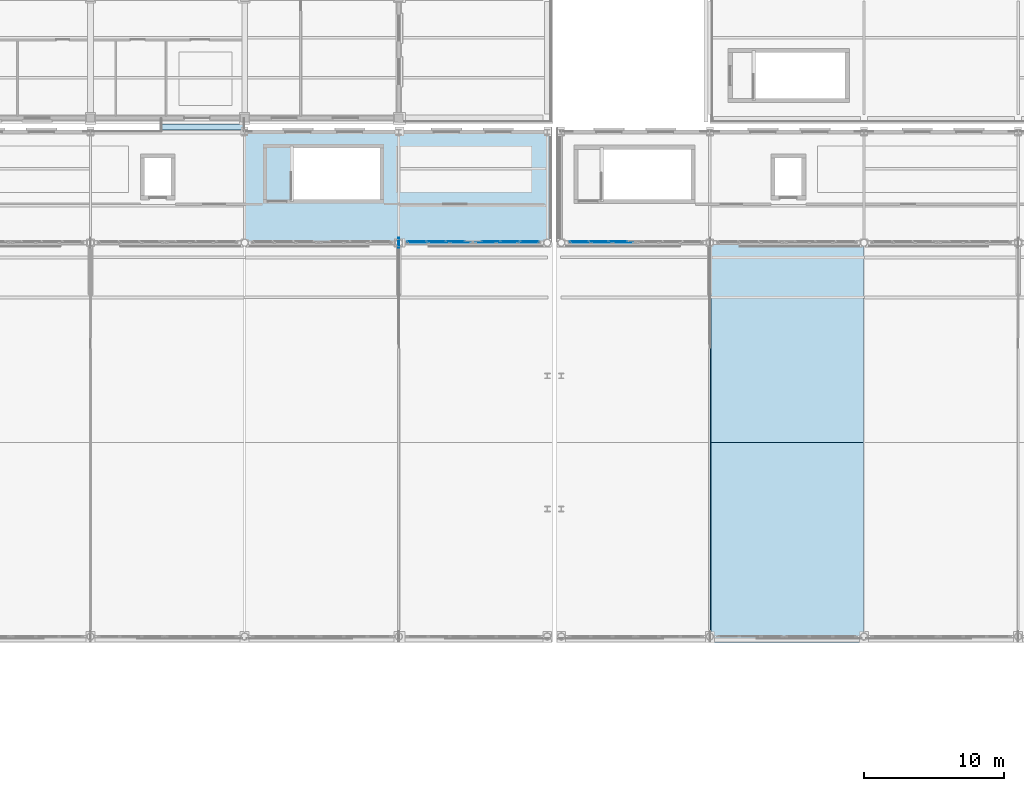
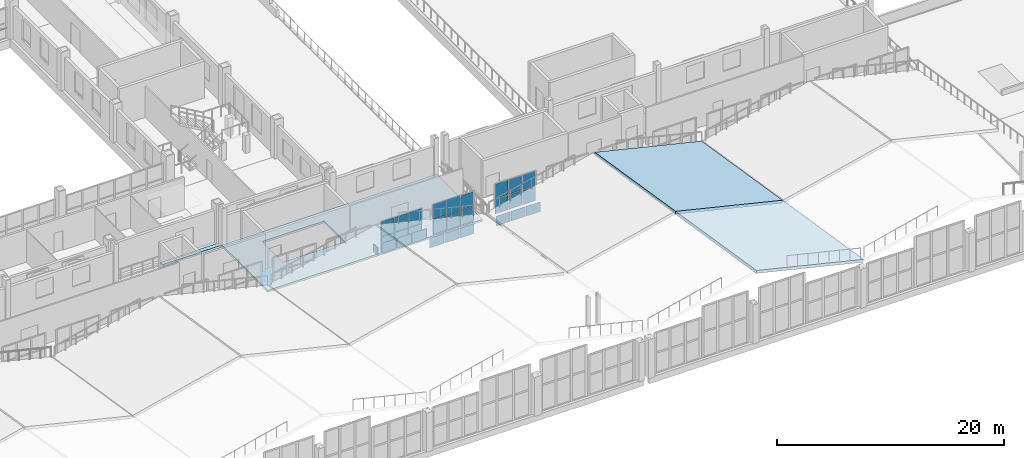
# One storey, part 83 of 120: 28 plates, 4 slabs, 6 elements without a shape of their own.
"""IFC4 building model written with IfcOpenShell, lengths in metres."""

from ifc_helpers import new_model, si_unit, direction, frame, origin, origin_2d, place, context, subcontext, project, spatial, polyline, rectangle, outline, extrude, material, layer, layer_set, type_object, element, aggregate, save


model = new_model("IFC4")

# Units and contexts
model_context = context("Model", 3, precision=1e-05, world=origin(), true_north=direction((0.0, 1.0)))
body_context = subcontext(model_context, "Body", "Model", "MODEL_VIEW")
ifc_project = project(units=[si_unit("LENGTHUNIT", "METRE"), si_unit("AREAUNIT", "SQUARE_METRE"), si_unit("VOLUMEUNIT", "CUBIC_METRE"), si_unit("PLANEANGLEUNIT", "RADIAN"), si_unit("MASSUNIT", "GRAM", prefix="KILO")], contexts=[model_context])

# Site, building, storey
site_placement = place(None, origin())
site = spatial("IfcSite", under=ifc_project, at=site_placement, CompositionType="ELEMENT")
building_placement = place(site_placement, origin())
building = spatial("IfcBuilding", under=site, at=building_placement, Name="Caurita Quay Ferry Terminal", CompositionType="ELEMENT")
storey_placement = place(building_placement, frame((0.0, 0.0, 9.89990234375)))
storey = spatial("IfcBuildingStorey", under=building, at=storey_placement, Name="L02", CompositionType="ELEMENT", Elevation=9.89990234375)

# Curtain wall, plates
ifc_material_1 = material(Name="Laminated solar-control insulated glass", Category="glass")
curtain_wall_type_1 = type_object("IfcCurtainWallType", Name="CW-SYS-14", PredefinedType="NOTDEFINED", material=ifc_material_1)
curtain_wall_1_placement = place(storey_placement, origin())
curtain_wall_1 = element("IfcCurtainWall", 1, at=curtain_wall_1_placement, inside=storey, type_object=curtain_wall_type_1, Name="Mezzanine Hall Overlook Glazing 103", PredefinedType="NOTDEFINED")
ifc_layer_1 = layer(ifc_material_1, 0.02392578125, Name="Laminated low-e hurricane-rated glazing unit 24 mm")
ifc_layer_set_1 = layer_set([ifc_layer_1], Name="Laminated solar-control insulated glass")
plate_type_1 = type_object("IfcPlateType", Name="CW-PNL-24", PredefinedType="CURTAIN_PANEL", material=ifc_layer_set_1)
plate_1_placement = place(storey_placement, frame((78.264892578125, 62.800048828125, 0.05810546875), z_axis=(0.0, 0.0, 1.0), x_axis=(1.0, 0.0, 0.0)))
plate_1 = element("IfcPlate", 2, at=plate_1_placement, type_object=plate_type_1, Name="CW-MZL-103 Glazing Panel 1", PredefinedType="CURTAIN_PANEL", context=body_context, shape_type="SweptSolid", body=[
    extrude(rectangle(XDim=1.31396484375, YDim=0.02392578125, at=origin_2d()), origin(), (0.0, 0.0, 1.0), 1.56396484375),
])
plate_2_placement = place(storey_placement, frame((78.264892578125, 62.800048828125, 1.67822265625), z_axis=(0.0, 0.0, 1.0), x_axis=(1.0, 0.0, 0.0)))
plate_2 = element("IfcPlate", 3, at=plate_2_placement, type_object=plate_type_1, Name="CW-MZL-103 Glazing Panel 2", PredefinedType="CURTAIN_PANEL", context=body_context, shape_type="SweptSolid", body=[
    extrude(rectangle(XDim=1.31396484375, YDim=0.02392578125, at=origin_2d()), origin(), (0.0, 0.0, 1.0), 1.56396484375),
])
plate_3_placement = place(storey_placement, frame((79.64990234375, 62.800048828125, 0.05810546875), z_axis=(0.0, 0.0, 1.0), x_axis=(1.0, 0.0, 0.0)))
plate_3 = element("IfcPlate", 4, at=plate_3_placement, type_object=plate_type_1, Name="CW-MZL-103 Glazing Panel 3", PredefinedType="CURTAIN_PANEL", context=body_context, shape_type="SweptSolid", body=[
    extrude(rectangle(XDim=1.343994140625, YDim=0.02392578125, at=origin_2d()), origin(), (0.0, 0.0, 1.0), 1.56396484375),
])
plate_4_placement = place(storey_placement, frame((79.64990234375, 62.800048828125, 1.67822265625), z_axis=(0.0, 0.0, 1.0), x_axis=(1.0, 0.0, 0.0)))
plate_4 = element("IfcPlate", 5, at=plate_4_placement, type_object=plate_type_1, Name="CW-MZL-103 Glazing Panel 4", PredefinedType="CURTAIN_PANEL", context=body_context, shape_type="SweptSolid", body=[
    extrude(rectangle(XDim=1.343994140625, YDim=0.02392578125, at=origin_2d()), origin(), (0.0, 0.0, 1.0), 1.56396484375),
])
plate_5_placement = place(storey_placement, frame((81.034912109375, 62.800048828125, 0.05810546875), z_axis=(0.0, 0.0, 1.0), x_axis=(1.0, 0.0, 0.0)))
plate_5 = element("IfcPlate", 6, at=plate_5_placement, type_object=plate_type_1, Name="CW-MZL-103 Glazing Panel 5", PredefinedType="CURTAIN_PANEL", context=body_context, shape_type="SweptSolid", body=[
    extrude(rectangle(XDim=1.31396484375, YDim=0.02392578125, at=origin_2d()), origin(), (0.0, 0.0, 1.0), 1.56396484375),
])
plate_6_placement = place(storey_placement, frame((81.034912109375, 62.800048828125, 1.67822265625), z_axis=(0.0, 0.0, 1.0), x_axis=(1.0, 0.0, 0.0)))
plate_6 = element("IfcPlate", 7, at=plate_6_placement, type_object=plate_type_1, Name="CW-MZL-103 Glazing Panel 6", PredefinedType="CURTAIN_PANEL", context=body_context, shape_type="SweptSolid", body=[
    extrude(rectangle(XDim=1.31396484375, YDim=0.02392578125, at=origin_2d()), origin(), (0.0, 0.0, 1.0), 1.56396484375),
])
aggregate(curtain_wall_1, [plate_1, plate_2, plate_3, plate_4, plate_5, plate_6])

curtain_wall_2_placement = place(storey_placement, origin())
curtain_wall_2 = element("IfcCurtainWall", 8, at=curtain_wall_2_placement, inside=storey, type_object=curtain_wall_type_1, Name="Mezzanine Hall Overlook Glazing 104", PredefinedType="NOTDEFINED")
plate_7_placement = place(storey_placement, frame((83.56494140625, 62.800048828125, 0.05810546875), z_axis=(0.0, 0.0, 1.0), x_axis=(1.0, 0.0, 0.0)))
plate_7 = element("IfcPlate", 9, at=plate_7_placement, type_object=plate_type_1, Name="CW-MZL-104 Glazing Panel 1", PredefinedType="CURTAIN_PANEL", context=body_context, shape_type="SweptSolid", body=[
    extrude(rectangle(XDim=1.31396484375, YDim=0.02392578125, at=origin_2d()), origin(), (0.0, 0.0, 1.0), 1.56396484375),
])
plate_8_placement = place(storey_placement, frame((83.56494140625, 62.800048828125, 1.67822265625), z_axis=(0.0, 0.0, 1.0), x_axis=(1.0, 0.0, 0.0)))
plate_8 = element("IfcPlate", 10, at=plate_8_placement, type_object=plate_type_1, Name="CW-MZL-104 Glazing Panel 2", PredefinedType="CURTAIN_PANEL", context=body_context, shape_type="SweptSolid", body=[
    extrude(rectangle(XDim=1.31396484375, YDim=0.02392578125, at=origin_2d()), origin(), (0.0, 0.0, 1.0), 1.56396484375),
])
plate_9_placement = place(storey_placement, frame((84.949951171875, 62.800048828125, 0.05810546875), z_axis=(0.0, 0.0, 1.0), x_axis=(1.0, 0.0, 0.0)))
plate_9 = element("IfcPlate", 11, at=plate_9_placement, type_object=plate_type_1, Name="CW-MZL-104 Glazing Panel 3", PredefinedType="CURTAIN_PANEL", context=body_context, shape_type="SweptSolid", body=[
    extrude(rectangle(XDim=1.343994140625, YDim=0.02392578125, at=origin_2d()), origin(), (0.0, 0.0, 1.0), 1.56396484375),
])
plate_10_placement = place(storey_placement, frame((84.949951171875, 62.800048828125, 1.67822265625), z_axis=(0.0, 0.0, 1.0), x_axis=(1.0, 0.0, 0.0)))
plate_10 = element("IfcPlate", 12, at=plate_10_placement, type_object=plate_type_1, Name="CW-MZL-104 Glazing Panel 4", PredefinedType="CURTAIN_PANEL", context=body_context, shape_type="SweptSolid", body=[
    extrude(rectangle(XDim=1.343994140625, YDim=0.02392578125, at=origin_2d()), origin(), (0.0, 0.0, 1.0), 1.56396484375),
])
plate_11_placement = place(storey_placement, frame((86.3349609375, 62.800048828125, 0.05810546875), z_axis=(0.0, 0.0, 1.0), x_axis=(1.0, 0.0, 0.0)))
plate_11 = element("IfcPlate", 13, at=plate_11_placement, type_object=plate_type_1, Name="CW-MZL-104 Glazing Panel 5", PredefinedType="CURTAIN_PANEL", context=body_context, shape_type="SweptSolid", body=[
    extrude(rectangle(XDim=1.31396484375, YDim=0.02392578125, at=origin_2d()), origin(), (0.0, 0.0, 1.0), 1.56396484375),
])
plate_12_placement = place(storey_placement, frame((86.3349609375, 62.800048828125, 1.67822265625), z_axis=(0.0, 0.0, 1.0), x_axis=(1.0, 0.0, 0.0)))
plate_12 = element("IfcPlate", 14, at=plate_12_placement, type_object=plate_type_1, Name="CW-MZL-104 Glazing Panel 6", PredefinedType="CURTAIN_PANEL", context=body_context, shape_type="SweptSolid", body=[
    extrude(rectangle(XDim=1.31396484375, YDim=0.02392578125, at=origin_2d()), origin(), (0.0, 0.0, 1.0), 1.56396484375),
])
aggregate(curtain_wall_2, [plate_7, plate_8, plate_9, plate_10, plate_11, plate_12])

curtain_wall_3_placement = place(storey_placement, origin())
curtain_wall_3 = element("IfcCurtainWall", 15, at=curtain_wall_3_placement, inside=storey, type_object=curtain_wall_type_1, Name="Mezzanine Hall Overlook Glazing 105", PredefinedType="NOTDEFINED")
plate_13_placement = place(storey_placement, frame((89.864990234375, 62.800048828125, 0.05810546875), z_axis=(0.0, 0.0, 1.0), x_axis=(1.0, 0.0, 0.0)))
plate_13 = element("IfcPlate", 16, at=plate_13_placement, type_object=plate_type_1, Name="CW-MZL-105 Glazing Panel 1", PredefinedType="CURTAIN_PANEL", context=body_context, shape_type="SweptSolid", body=[
    extrude(rectangle(XDim=1.31396484375, YDim=0.02392578125, at=origin_2d()), origin(), (0.0, 0.0, 1.0), 1.56396484375),
])
plate_14_placement = place(storey_placement, frame((89.864990234375, 62.800048828125, 1.67822265625), z_axis=(0.0, 0.0, 1.0), x_axis=(1.0, 0.0, 0.0)))
plate_14 = element("IfcPlate", 17, at=plate_14_placement, type_object=plate_type_1, Name="CW-MZL-105 Glazing Panel 2", PredefinedType="CURTAIN_PANEL", context=body_context, shape_type="SweptSolid", body=[
    extrude(rectangle(XDim=1.31396484375, YDim=0.02392578125, at=origin_2d()), origin(), (0.0, 0.0, 1.0), 1.56396484375),
])
plate_15_placement = place(storey_placement, frame((91.25, 62.800048828125, 0.05810546875), z_axis=(0.0, 0.0, 1.0), x_axis=(1.0, 0.0, 0.0)))
plate_15 = element("IfcPlate", 18, at=plate_15_placement, type_object=plate_type_1, Name="CW-MZL-105 Glazing Panel 3", PredefinedType="CURTAIN_PANEL", context=body_context, shape_type="SweptSolid", body=[
    extrude(rectangle(XDim=1.343994140625, YDim=0.02392578125, at=origin_2d()), origin(), (0.0, 0.0, 1.0), 1.56396484375),
])
plate_16_placement = place(storey_placement, frame((91.25, 62.800048828125, 1.67822265625), z_axis=(0.0, 0.0, 1.0), x_axis=(1.0, 0.0, 0.0)))
plate_16 = element("IfcPlate", 19, at=plate_16_placement, type_object=plate_type_1, Name="CW-MZL-105 Glazing Panel 4", PredefinedType="CURTAIN_PANEL", context=body_context, shape_type="SweptSolid", body=[
    extrude(rectangle(XDim=1.343994140625, YDim=0.02392578125, at=origin_2d()), origin(), (0.0, 0.0, 1.0), 1.56396484375),
])
plate_17_placement = place(storey_placement, frame((92.635009765625, 62.800048828125, 0.05810546875), z_axis=(0.0, 0.0, 1.0), x_axis=(1.0, 0.0, 0.0)))
plate_17 = element("IfcPlate", 20, at=plate_17_placement, type_object=plate_type_1, Name="CW-MZL-105 Glazing Panel 5", PredefinedType="CURTAIN_PANEL", context=body_context, shape_type="SweptSolid", body=[
    extrude(rectangle(XDim=1.31396484375, YDim=0.02392578125, at=origin_2d()), origin(), (0.0, 0.0, 1.0), 1.56396484375),
])
plate_18_placement = place(storey_placement, frame((92.635009765625, 62.800048828125, 1.67822265625), z_axis=(0.0, 0.0, 1.0), x_axis=(1.0, 0.0, 0.0)))
plate_18 = element("IfcPlate", 21, at=plate_18_placement, type_object=plate_type_1, Name="CW-MZL-105 Glazing Panel 6", PredefinedType="CURTAIN_PANEL", context=body_context, shape_type="SweptSolid", body=[
    extrude(rectangle(XDim=1.31396484375, YDim=0.02392578125, at=origin_2d()), origin(), (0.0, 0.0, 1.0), 1.56396484375),
])
aggregate(curtain_wall_3, [plate_13, plate_14, plate_15, plate_16, plate_17, plate_18])

curtain_wall_type_2 = type_object("IfcCurtainWallType", Name="CW-SYS-05", PredefinedType="NOTDEFINED", material=ifc_material_1)
curtain_wall_4_placement = place(storey_placement, origin())
curtain_wall_4 = element("IfcCurtainWall", 22, at=curtain_wall_4_placement, inside=storey, type_object=curtain_wall_type_2, Name="Folded Roof Clerestory FB-04-N3", PredefinedType="NOTDEFINED")
ifc_layer_2 = layer(ifc_material_1, 0.028076171875, Name="Laminated low-e hurricane-rated glazing unit 28 mm")
ifc_layer_set_2 = layer_set([ifc_layer_2], Name="Laminated solar-control insulated glass")
plate_type_2 = type_object("IfcPlateType", Name="CW-PNL-28", PredefinedType="CURTAIN_PANEL", material=ifc_layer_set_2)
plate_19_placement = place(storey_placement, frame((78.34375, 62.699951171875, -0.0498046875), z_axis=(0.0, 0.0, 1.0), x_axis=(1.0, 0.0, 0.0)))
plate_19 = element("IfcPlate", 23, at=plate_19_placement, type_object=plate_type_2, Name="CW-CLR-031 Glazing Panel 1", PredefinedType="CURTAIN_PANEL", context=body_context, shape_type="SweptSolid", body=[
    extrude(rectangle(XDim=1.44140625, YDim=0.028076171875, at=origin_2d()), origin(), (0.0, 0.0, 1.0), 1.053955078125),
])
plate_20_placement = place(storey_placement, frame((79.875, 62.699951171875, -0.0498046875), z_axis=(0.0, 0.0, 1.0), x_axis=(1.0, 0.0, 0.0)))
plate_20 = element("IfcPlate", 24, at=plate_20_placement, type_object=plate_type_2, Name="CW-CLR-031 Glazing Panel 2", PredefinedType="CURTAIN_PANEL", context=body_context, shape_type="SweptSolid", body=[
    extrude(rectangle(XDim=1.47900390625, YDim=0.028076171875, at=origin_2d()), origin(), (0.0, 0.0, 1.0), 1.053955078125),
])
plate_21_placement = place(storey_placement, frame((81.40625, 62.699951171875, -0.0498046875), z_axis=(0.0, 0.0, 1.0), x_axis=(1.0, 0.0, 0.0)))
plate_21 = element("IfcPlate", 25, at=plate_21_placement, type_object=plate_type_2, Name="CW-CLR-031 Glazing Panel 3", PredefinedType="CURTAIN_PANEL", context=body_context, shape_type="SweptSolid", body=[
    extrude(rectangle(XDim=1.44140625, YDim=0.028076171875, at=origin_2d()), origin(), (0.0, 0.0, 1.0), 1.053955078125),
])
aggregate(curtain_wall_4, [plate_19, plate_20, plate_21])

curtain_wall_5_placement = place(storey_placement, origin())
curtain_wall_5 = element("IfcCurtainWall", 26, at=curtain_wall_5_placement, inside=storey, type_object=curtain_wall_type_2, Name="Folded Roof Clerestory FB-04-N4", PredefinedType="NOTDEFINED")
plate_22_placement = place(storey_placement, frame((83.19384765625, 62.699951171875, -1.2138671875), z_axis=(0.0, 0.0, 1.0), x_axis=(1.0, 0.0, 0.0)))
plate_22 = element("IfcPlate", 27, at=plate_22_placement, type_object=plate_type_2, Name="CW-CLR-032 Glazing Panel 1", PredefinedType="CURTAIN_PANEL", context=body_context, shape_type="SweptSolid", body=[
    extrude(rectangle(XDim=1.44140625, YDim=0.028076171875, at=origin_2d()), origin(), (0.0, 0.0, 1.0), 1.053955078125),
])
plate_23_placement = place(storey_placement, frame((84.72509765625, 62.699951171875, -1.2138671875), z_axis=(0.0, 0.0, 1.0), x_axis=(1.0, 0.0, 0.0)))
plate_23 = element("IfcPlate", 28, at=plate_23_placement, type_object=plate_type_2, Name="CW-CLR-032 Glazing Panel 2", PredefinedType="CURTAIN_PANEL", context=body_context, shape_type="SweptSolid", body=[
    extrude(rectangle(XDim=1.47900390625, YDim=0.028076171875, at=origin_2d()), origin(), (0.0, 0.0, 1.0), 1.053955078125),
])
plate_24_placement = place(storey_placement, frame((86.256103515625, 62.699951171875, -1.2138671875), z_axis=(0.0, 0.0, 1.0), x_axis=(1.0, 0.0, 0.0)))
plate_24 = element("IfcPlate", 29, at=plate_24_placement, type_object=plate_type_2, Name="CW-CLR-032 Glazing Panel 3", PredefinedType="CURTAIN_PANEL", context=body_context, shape_type="SweptSolid", body=[
    extrude(rectangle(XDim=1.44140625, YDim=0.028076171875, at=origin_2d()), origin(), (0.0, 0.0, 1.0), 1.053955078125),
])
aggregate(curtain_wall_5, [plate_22, plate_23, plate_24])

curtain_wall_6_placement = place(storey_placement, origin())
curtain_wall_6 = element("IfcCurtainWall", 30, at=curtain_wall_6_placement, inside=storey, type_object=curtain_wall_type_2, Name="Folded Roof Clerestory FB-05-N1", PredefinedType="NOTDEFINED")
plate_25_placement = place(storey_placement, frame((89.94384765625, 62.699951171875, -1.2138671875), z_axis=(0.0, 0.0, 1.0), x_axis=(1.0, 0.0, 0.0)))
plate_25 = element("IfcPlate", 31, at=plate_25_placement, type_object=plate_type_2, Name="CW-CLR-037 Glazing Panel 1", PredefinedType="CURTAIN_PANEL", context=body_context, shape_type="SweptSolid", body=[
    extrude(rectangle(XDim=1.44140625, YDim=0.028076171875, at=origin_2d()), origin(), (0.0, 0.0, 1.0), 1.053955078125),
])
plate_26_placement = place(storey_placement, frame((91.47509765625, 62.699951171875, -1.2138671875), z_axis=(0.0, 0.0, 1.0), x_axis=(1.0, 0.0, 0.0)))
plate_26 = element("IfcPlate", 32, at=plate_26_placement, type_object=plate_type_2, Name="CW-CLR-037 Glazing Panel 2", PredefinedType="CURTAIN_PANEL", context=body_context, shape_type="SweptSolid", body=[
    extrude(rectangle(XDim=1.47900390625, YDim=0.028076171875, at=origin_2d()), origin(), (0.0, 0.0, 1.0), 1.053955078125),
])
plate_27_placement = place(storey_placement, frame((93.006103515625, 62.699951171875, -1.2138671875), z_axis=(0.0, 0.0, 1.0), x_axis=(1.0, 0.0, 0.0)))
plate_27 = element("IfcPlate", 33, at=plate_27_placement, type_object=plate_type_2, Name="CW-CLR-037 Glazing Panel 3", PredefinedType="CURTAIN_PANEL", context=body_context, shape_type="SweptSolid", body=[
    extrude(rectangle(XDim=1.44140625, YDim=0.028076171875, at=origin_2d()), origin(), (0.0, 0.0, 1.0), 1.053955078125),
])
aggregate(curtain_wall_6, [plate_25, plate_26, plate_27])

# Plate
ifc_material_2 = material(Name="Structural plate steel ASTM A572 Gr. 50", Category="steel")
ifc_layer_3 = layer(ifc_material_2, 0.048095703125, Name="Structural steel connection plate 48 mm")
ifc_layer_set_3 = layer_set([ifc_layer_3], Name="Structural plate steel ASTM A572 Gr. 50")
plate_type_3 = type_object("IfcPlateType", Name="PLT-STL-48", PredefinedType="USERDEFINED", material=ifc_layer_set_3)
plate_28_placement = place(storey_placement, frame((77.0, 62.699951171875, 0.175048828125), z_axis=(0.0, 0.0, 1.0), x_axis=(1.0, 0.0, 0.0)))
element("IfcPlate", 34, at=plate_28_placement, inside=storey, type_object=plate_type_3, Name="Mast Collar Stay-Cable Gusset Plate V1-08-N", ObjectType="GUSSET PLATE", PredefinedType="USERDEFINED", context=body_context, shape_type="SweptSolid", body=[
    extrude(rectangle(XDim=0.048095703125, YDim=0.719970703125, at=origin_2d()), origin(), (0.0, 0.0, 1.0), 0.75),
])

# Slabs
ifc_material_3 = material(Name="Reinforced concrete C35/45", Category="concrete")
ifc_layer_4 = layer(ifc_material_3, 0.219970703125, Name="Reinforced concrete floor slab 220 mm")
ifc_layer_set_4 = layer_set([ifc_layer_4], Name="Reinforced concrete C35/45")
slab_type_1 = type_object("IfcSlabType", Name="SLB-FLR-220", PredefinedType="FLOOR", material=ifc_layer_set_4)
slab_1_placement = place(storey_placement, frame((0.0, 0.0, -0.219970703125)))
element("IfcSlab", 35, at=slab_1_placement, inside=storey, type_object=slab_type_1, Name="L02 SJ4-E Slab 01", PredefinedType="FLOOR", context=body_context, shape_type="SweptSolid", body=[
    extrude(outline(polyline([(60.0, 70.760009765625), (66.0, 70.760009765625), (66.0, 71.18994140625), (60.0, 71.18994140625), (60.0, 70.760009765625)])), origin(), (0.0, 0.0, 1.0), 0.219970703125),
])
slab_2_placement = place(storey_placement, frame((0.0, 0.0, -0.219970703125)))
element("IfcSlab", 36, at=slab_2_placement, inside=storey, type_object=slab_type_1, Name="L02 V1-MEZ Slab 04", PredefinedType="FLOOR", context=body_context, shape_type="SweptSolid", body=[
    extrude(outline(polyline([(66.0, 62.699951171875), (87.85009765625, 62.699951171875), (87.85009765625, 70.75), (66.0, 70.75), (66.0, 62.699951171875)]), holes=[polyline([(69.35009765625, 65.800048828125), (75.64990234375, 65.800048828125), (75.64990234375, 69.4599609375), (69.35009765625, 69.4599609375), (69.35009765625, 65.800048828125)])]), origin(), (0.0, 0.0, 1.0), 0.219970703125),
])
ifc_layer_5 = layer(ifc_material_3, 0.280029296875, Name="Reinforced concrete roof slab 280 mm")
ifc_layer_set_5 = layer_set([ifc_layer_5], Name="Reinforced concrete C35/45")
slab_type_2 = type_object("IfcSlabType", Name="SLB-FOLD-280", PredefinedType="ROOF", material=ifc_layer_set_5)
for number, where, z_axis, x_axis, name in (
    (37, (99.280029296875, 34.199951171875, 7.781005859375), (0.230611727555, 0.153733927912, 0.960824703327), (0.972384132882, 0.0, -0.233386156658), "Folded Concourse Roof Facet FB-05 E1"),
    (38, (99.280029296875, 48.449951171875, 5.5009765625), (0.230611727555, 0.153733927912, 0.960824703327), (0.972384132882, 0.0, -0.233386156658), "Folded Concourse Roof Facet FB-05 E2"),
):
    element("IfcSlab", number, at=place(storey_placement, frame(where, z_axis=z_axis, x_axis=x_axis)), inside=storey, type_object=slab_type_2, Name=name, PredefinedType="ROOF", context=body_context, shape_type="SweptSolid", body=[
        extrude(outline(polyline([(0.0, 0.0), (11.18887324935576, 0.0), (11.721000524020926, 14.421438005905157), (0.5321272746651661, 14.421438005905157), (0.0, 0.0)])), origin(), (0.0, 0.0, -1.0), 0.280029296875),
    ])

save(model, "model.ifc")
